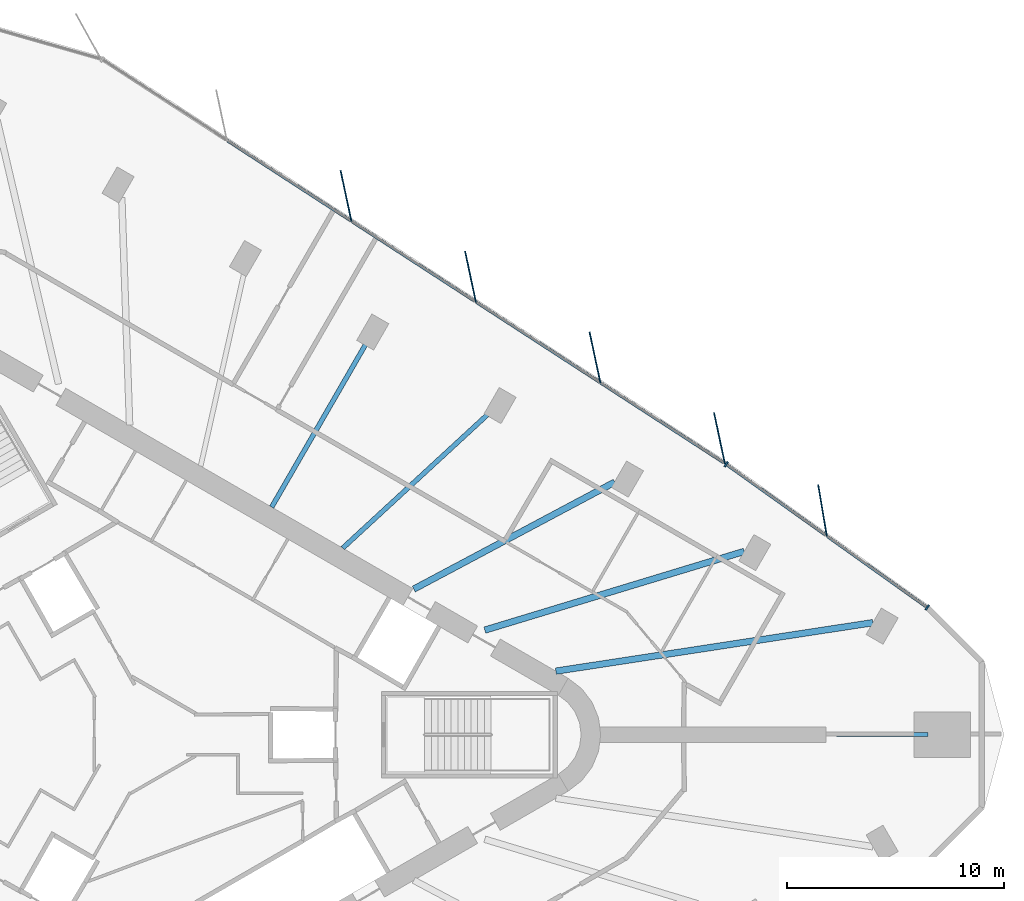
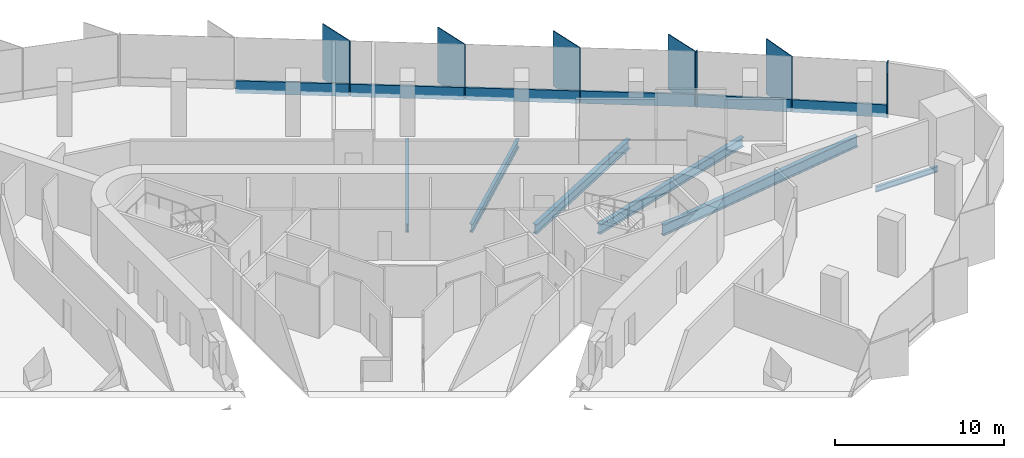
# One storey, part 5 of 14: 13 members, 6 beams, 2 elements without a shape of their own.
"""IFC4 building model written with IfcOpenShell, lengths in metres."""

from ifc_helpers import new_model, si_unit, direction, frame, origin, origin_2d, place, context, subcontext, project, spatial, rectangle, i_section, extrude, material, material_profile, profile_set, type_object, element, aggregate, save


model = new_model("IFC4")

# Units and contexts
model_context = context("Model", 3, precision=1e-05, world=origin(), true_north=direction((0.0, 1.0)))
body_context = subcontext(model_context, "Body", "Model", "MODEL_VIEW")
ifc_project = project(units=[si_unit("LENGTHUNIT", "METRE"), si_unit("AREAUNIT", "SQUARE_METRE"), si_unit("VOLUMEUNIT", "CUBIC_METRE"), si_unit("PLANEANGLEUNIT", "RADIAN"), si_unit("MASSUNIT", "GRAM", prefix="KILO")], contexts=[model_context])

# Site, building, storey
site_placement = place(None, origin())
site = spatial("IfcSite", under=ifc_project, at=site_placement, CompositionType="ELEMENT")
building_placement = place(site_placement, origin())
building = spatial("IfcBuilding", under=site, at=building_placement, Name="Tanit Gate Tower", CompositionType="ELEMENT")
storey_placement = place(building_placement, frame((0.0, 0.0, 253.199951171875)))
storey = spatial("IfcBuildingStorey", under=building, at=storey_placement, Name="L57", CompositionType="ELEMENT", Elevation=253.199951171875)

# Curtain wall, member
ifc_material_1 = material(Name="Aluminium bronze anodised and glass", Category="aluminium")
curtain_wall_type = type_object("IfcCurtainWallType", Name="Curtain wall typical mid", PredefinedType="NOTDEFINED", material=ifc_material_1)
curtain_wall_1_placement = place(storey_placement, origin())
curtain_wall_1 = element("IfcCurtainWall", 1, at=curtain_wall_1_placement, inside=storey, type_object=curtain_wall_type, Name="Curtain wall L57 NE1", PredefinedType="NOTDEFINED")
ifc_material_2 = material(Name="Aluminium bronze anodised", Category="aluminium")
ifc_material_profile_1 = material_profile(ifc_material_2, rectangle(XDim=2.39990234375, YDim=0.055908203125, at=origin_2d()), Name="56x2400 bronze fin mullion")
ifc_profile_set_1 = profile_set([ifc_material_profile_1], Name="Aluminium bronze anodised")
member_type_1 = type_object("IfcMemberType", Name="FIN MULLION 56x2400 bronze", PredefinedType="MULLION", material=ifc_profile_set_1)
member_1_placement = place(storey_placement, frame((31.41357421875, 10.318115234375, -0.300048828125), z_axis=(0.0, 0.0, 1.0), x_axis=(0.165705178355, -0.986175336269, 0.0)))
member_1 = element("IfcMember", 2, at=member_1_placement, type_object=member_type_1, Name="Fin mullion L57 NE1.2", PredefinedType="MULLION", context=body_context, shape_type="SweptSolid", body=[
    extrude(rectangle(XDim=2.39990234375, YDim=0.055908203125, at=origin_2d()), origin(), (0.0, 0.0, 1.0), 4.0),
])

# Curtain wall, members
curtain_wall_2_placement = place(storey_placement, origin())
curtain_wall_2 = element("IfcCurtainWall", 3, at=curtain_wall_2_placement, inside=storey, type_object=curtain_wall_type, Name="Curtain wall L57 NE2", PredefinedType="NOTDEFINED")
member_2_placement = place(storey_placement, frame((26.668701171875, 13.650390625, -0.300048828125), z_axis=(0.0, 0.0, 1.0), x_axis=(0.208373118697, -0.978049407445, 0.0)))
member_2 = element("IfcMember", 4, at=member_2_placement, type_object=member_type_1, Name="Fin mullion L57 NE2.1", PredefinedType="MULLION", context=body_context, shape_type="SweptSolid", body=[
    extrude(rectangle(XDim=2.39990234375, YDim=0.055908203125, at=origin_2d()), origin(), (0.0, 0.0, 1.0), 4.0),
])
member_3_placement = place(storey_placement, frame((20.936767578125, 17.368896484375, -0.300048828125), z_axis=(0.0, 0.0, 1.0), x_axis=(0.208373118697, -0.978049407445, 0.0)))
member_3 = element("IfcMember", 5, at=member_3_placement, type_object=member_type_1, Name="Fin mullion L57 NE2.2", PredefinedType="MULLION", context=body_context, shape_type="SweptSolid", body=[
    extrude(rectangle(XDim=2.39990234375, YDim=0.055908203125, at=origin_2d()), origin(), (0.0, 0.0, 1.0), 4.0),
])
member_4_placement = place(storey_placement, frame((15.204833984375, 21.08740234375, -0.300048828125), z_axis=(0.0, 0.0, 1.0), x_axis=(0.208373118697, -0.978049407445, 0.0)))
member_4 = element("IfcMember", 6, at=member_4_placement, type_object=member_type_1, Name="Fin mullion L57 NE2.3", PredefinedType="MULLION", context=body_context, shape_type="SweptSolid", body=[
    extrude(rectangle(XDim=2.39990234375, YDim=0.055908203125, at=origin_2d()), origin(), (0.0, 0.0, 1.0), 4.0),
])
member_5_placement = place(storey_placement, frame((9.47265625, 24.805908203125, -0.300048828125), z_axis=(0.0, 0.0, 1.0), x_axis=(0.208373118697, -0.978049407445, 0.0)))
member_5 = element("IfcMember", 7, at=member_5_placement, type_object=member_type_1, Name="Fin mullion L57 NE2.4", PredefinedType="MULLION", context=body_context, shape_type="SweptSolid", body=[
    extrude(rectangle(XDim=2.39990234375, YDim=0.055908203125, at=origin_2d()), origin(), (0.0, 0.0, 1.0), 4.0),
])

# Member
ifc_material_3 = material(Name="Aluminium bronze anodised", Category="aluminium")
ifc_material_profile_2 = material_profile(ifc_material_3, rectangle(XDim=0.260009765625, YDim=0.080078125, at=origin_2d()), Name="80x260 bronze mullion")
ifc_profile_set_2 = profile_set([ifc_material_profile_2], Name="Aluminium bronze anodised")
member_type_2 = type_object("IfcMemberType", Name="Mullion 80x260 typical mid", PredefinedType="MULLION", material=ifc_profile_set_2)
member_6_placement = place(storey_placement, frame((36.2373046875, 5.85888671875, -0.300048828125), z_axis=(0.0, 0.0, 1.0), x_axis=(-0.580160012422, -0.814502523008, 0.0)))
member_6 = element("IfcMember", 8, at=member_6_placement, type_object=member_type_2, Name="Mullion L57 NE1.1", PredefinedType="MULLION", context=body_context, shape_type="SweptSolid", body=[
    extrude(rectangle(XDim=0.260009765625, YDim=0.080078125, at=origin_2d()), origin(), (0.0, 0.0, 1.0), 4.0),
])

member_7_placement = place(storey_placement, frame((26.98046875, 12.452392578125, -0.300048828125), z_axis=(0.0, 0.0, 1.0), x_axis=(-0.580160012422, -0.814502523008, 0.0)))
member_7 = element("IfcMember", 9, at=member_7_placement, type_object=member_type_2, Name="Mullion L57 NE1.3", PredefinedType="MULLION", context=body_context, shape_type="SweptSolid", body=[
    extrude(rectangle(XDim=0.260009765625, YDim=0.080078125, at=origin_2d()), origin(), (0.0, 0.0, 1.0), 4.0),
])

# Beams
ifc_material_4 = material(Name="Steel S355", Category="steel")
ifc_material_profile_3 = material_profile(ifc_material_4, i_section(OverallWidth=0.300048828125, OverallDepth=0.68994140625, WebThickness=0.014404296875, FlangeThickness=0.027099609375, FilletRadius=0.027099609375, at=origin_2d()), Name="HEA 700")
ifc_profile_set_3 = profile_set([ifc_material_profile_3], Name="Steel S355")
beam_type_1 = type_object("IfcBeamType", Name="RADIAL GIRDER HEA 700 S355", PredefinedType="BEAM", material=ifc_profile_set_3)
beam_1_placement = place(storey_placement, frame((27.80810546875, 8.439208984375, -0.64501953125), z_axis=(-0.956906204487, -0.290397169089, 0.0), x_axis=(0.290397169089, -0.956906204487, 0.0)))
element("IfcBeam", 10, at=beam_1_placement, inside=storey, type_object=beam_type_1, Name="RADIAL GIRDER", PredefinedType="BEAM", context=body_context, shape_type="SweptSolid", body=[
    extrude(i_section(OverallWidth=0.300048828125, OverallDepth=0.68994140625, WebThickness=0.014404296875, FlangeThickness=0.027099609375, FilletRadius=0.027099609375, at=origin_2d()), origin(), (0.0, 0.0, 1.0), 12.481201171875),
])
beam_2_placement = place(storey_placement, frame((21.845947265625, 11.628173828125, -0.64501953125), z_axis=(-0.882742084466, -0.469857863947, 0.0), x_axis=(0.469857863947, -0.882742084466, 0.0)))
element("IfcBeam", 11, at=beam_2_placement, inside=storey, type_object=beam_type_1, Name="RADIAL GIRDER", PredefinedType="BEAM", context=body_context, shape_type="SweptSolid", body=[
    extrude(i_section(OverallWidth=0.300048828125, OverallDepth=0.68994140625, WebThickness=0.014404296875, FlangeThickness=0.027099609375, FilletRadius=0.027099609375, at=origin_2d()), origin(), (0.0, 0.0, 1.0), 10.4814453125),
])
ifc_material_5 = material(Name="Steel S355", Category="steel")
ifc_material_profile_4 = material_profile(ifc_material_5, i_section(OverallWidth=0.300048828125, OverallDepth=0.7900390625, WebThickness=0.014892578125, FlangeThickness=0.028076171875, FilletRadius=0.030029296875, at=origin_2d()), Name="HEA 800")
ifc_profile_set_4 = profile_set([ifc_material_profile_4], Name="Steel S355")
beam_type_2 = type_object("IfcBeamType", Name="RADIAL GIRDER HEA 800 S355", PredefinedType="BEAM", material=ifc_profile_set_4)
beam_3_placement = place(storey_placement, frame((33.732177734375, 5.157958984375, -0.695068359375), z_axis=(-0.988510058129, -0.151155102389, 0.0), x_axis=(0.151155102389, -0.988510058129, 0.0)))
element("IfcBeam", 12, at=beam_3_placement, inside=storey, type_object=beam_type_2, Name="RADIAL GIRDER", PredefinedType="BEAM", context=body_context, shape_type="SweptSolid", body=[
    extrude(i_section(OverallWidth=0.300048828125, OverallDepth=0.7900390625, WebThickness=0.014892578125, FlangeThickness=0.028076171875, FilletRadius=0.030029296875, at=origin_2d()), origin(), (0.0, 0.0, 1.0), 14.765869140625),
])
ifc_material_6 = material(Name="Steel S355", Category="steel")
ifc_material_profile_5 = material_profile(ifc_material_6, i_section(OverallWidth=0.179931640625, OverallDepth=0.39990234375, WebThickness=0.008544921875, FlangeThickness=0.013427734375, FilletRadius=0.02099609375, at=origin_2d()), Name="IPE 400")
ifc_profile_set_5 = profile_set([ifc_material_profile_5], Name="Steel S355")
beam_type_3 = type_object("IfcBeamType", Name="RADIAL GIRDER IPE 400 S355", PredefinedType="BEAM", material=ifc_profile_set_5)
beam_4_placement = place(storey_placement, frame((36.269775390625, 0.0, -0.5), z_axis=(-1.0, 0.0, 0.0), x_axis=(0.0, -1.0, 0.0)))
element("IfcBeam", 13, at=beam_4_placement, inside=storey, type_object=beam_type_3, Name="RADIAL GIRDER", PredefinedType="BEAM", context=body_context, shape_type="SweptSolid", body=[
    extrude(i_section(OverallWidth=0.179931640625, OverallDepth=0.39990234375, WebThickness=0.008544921875, FlangeThickness=0.013427734375, FilletRadius=0.02099609375, at=origin_2d()), origin(), (0.0, 0.0, 1.0), 4.219482421875),
])
ifc_material_7 = material(Name="Steel S355", Category="steel")
ifc_material_profile_6 = material_profile(ifc_material_7, i_section(OverallWidth=0.219970703125, OverallDepth=0.60009765625, WebThickness=0.011962890625, FlangeThickness=0.01904296875, FilletRadius=0.02392578125, at=origin_2d()), Name="IPE 600")
ifc_profile_set_6 = profile_set([ifc_material_profile_6], Name="Steel S355")
beam_type_4 = type_object("IfcBeamType", Name="RADIAL GIRDER IPE 600 S355", PredefinedType="BEAM", material=ifc_profile_set_6)
beam_5_placement = place(storey_placement, frame((16.17138671875, 14.904296875, -0.599853515625), z_axis=(-0.735338835574, -0.677699636193, 0.0), x_axis=(0.677699636193, -0.735338835574, 0.0)))
element("IfcBeam", 14, at=beam_5_placement, inside=storey, type_object=beam_type_4, Name="RADIAL GIRDER", PredefinedType="BEAM", context=body_context, shape_type="SweptSolid", body=[
    extrude(i_section(OverallWidth=0.219970703125, OverallDepth=0.60009765625, WebThickness=0.011962890625, FlangeThickness=0.01904296875, FilletRadius=0.02392578125, at=origin_2d()), origin(), (0.0, 0.0, 1.0), 9.314208984375),
])
beam_6_placement = place(storey_placement, frame((10.49658203125, 18.1806640625, -0.599853515625), z_axis=(-0.499998967409, -0.866025999951, 0.0), x_axis=(0.866025999951, -0.499998967409, 0.0)))
element("IfcBeam", 15, at=beam_6_placement, inside=storey, type_object=beam_type_4, Name="RADIAL GIRDER", PredefinedType="BEAM", context=body_context, shape_type="SweptSolid", body=[
    extrude(i_section(OverallWidth=0.219970703125, OverallDepth=0.60009765625, WebThickness=0.011962890625, FlangeThickness=0.01904296875, FilletRadius=0.02392578125, at=origin_2d()), origin(), (0.0, 0.0, 1.0), 8.89111328125),
])

# Member
ifc_material_8 = material(Name="Aluminium bronze anodised", Category="aluminium")
ifc_material_profile_7 = material_profile(ifc_material_8, rectangle(XDim=0.139892578125, YDim=0.89990234375, at=origin_2d()), Name="140x900 bronze transom")
ifc_profile_set_7 = profile_set([ifc_material_profile_7], Name="Aluminium bronze anodised")
member_type_3 = type_object("IfcMemberType", Name="Transom 140x900 typical mid", PredefinedType="USERDEFINED", material=ifc_profile_set_7)
member_8_placement = place(storey_placement, frame((36.204833984375, 5.882080078125, 0.150146484375), z_axis=(-0.814489482689, 0.580178319647, 0.0), x_axis=(-0.580178319647, -0.814489482689, 0.0)))
member_8 = element("IfcMember", 16, at=member_8_placement, type_object=member_type_3, Name="Transom L57 NE1.1", ObjectType="TRANSOM", PredefinedType="USERDEFINED", context=body_context, shape_type="SweptSolid", body=[
    extrude(rectangle(XDim=0.139892578125, YDim=0.89990234375, at=origin_2d()), origin(), (0.0, 0.0, 1.0), 5.6025390625),
])

member_9_placement = place(storey_placement, frame((31.576416015625, 9.178955078125, 0.150146484375), z_axis=(-0.814524741061, 0.580128818625, 0.0), x_axis=(-0.580128818625, -0.814524741061, 0.0)))
member_9 = element("IfcMember", 17, at=member_9_placement, type_object=member_type_3, Name="Transom L57 NE1.2", ObjectType="TRANSOM", PredefinedType="USERDEFINED", context=body_context, shape_type="SweptSolid", body=[
    extrude(rectangle(XDim=0.139892578125, YDim=0.89990234375, at=origin_2d()), origin(), (0.0, 0.0, 1.0), 5.6025390625),
])

aggregate(curtain_wall_1, [member_6, member_1, member_7, member_8, member_9])

member_10_placement = place(storey_placement, frame((26.880859375, 12.519287109375, 0.150146484375), z_axis=(-0.83893228777, 0.544235809679, 0.0), x_axis=(-0.544235809679, -0.83893228777, 0.0)))
member_10 = element("IfcMember", 18, at=member_10_placement, type_object=member_type_3, Name="Transom L57 NE2.1", ObjectType="TRANSOM", PredefinedType="USERDEFINED", context=body_context, shape_type="SweptSolid", body=[
    extrude(rectangle(XDim=0.139892578125, YDim=0.89990234375, at=origin_2d()), origin(), (0.0, 0.0, 1.0), 6.752685546875),
])

member_11_placement = place(storey_placement, frame((21.148681640625, 16.23779296875, 0.150146484375), z_axis=(-0.838921578545, 0.544252317452, 0.0), x_axis=(-0.544252317452, -0.838921578545, 0.0)))
member_11 = element("IfcMember", 19, at=member_11_placement, type_object=member_type_3, Name="Transom L57 NE2.2", ObjectType="TRANSOM", PredefinedType="USERDEFINED", context=body_context, shape_type="SweptSolid", body=[
    extrude(rectangle(XDim=0.139892578125, YDim=0.89990234375, at=origin_2d()), origin(), (0.0, 0.0, 1.0), 6.75244140625),
])

member_12_placement = place(storey_placement, frame((15.416748046875, 19.956298828125, 0.150146484375), z_axis=(-0.838921578545, 0.544252317452, 0.0), x_axis=(-0.544252317452, -0.838921578545, 0.0)))
member_12 = element("IfcMember", 20, at=member_12_placement, type_object=member_type_3, Name="Transom L57 NE2.3", ObjectType="TRANSOM", PredefinedType="USERDEFINED", context=body_context, shape_type="SweptSolid", body=[
    extrude(rectangle(XDim=0.139892578125, YDim=0.89990234375, at=origin_2d()), origin(), (0.0, 0.0, 1.0), 6.75244140625),
])

member_13_placement = place(storey_placement, frame((9.684814453125, 23.6748046875, 0.150146484375), z_axis=(-0.838921578545, 0.544252317452, 0.0), x_axis=(-0.544252317452, -0.838921578545, 0.0)))
member_13 = element("IfcMember", 21, at=member_13_placement, type_object=member_type_3, Name="Transom L57 NE2.4", ObjectType="TRANSOM", PredefinedType="USERDEFINED", context=body_context, shape_type="SweptSolid", body=[
    extrude(rectangle(XDim=0.139892578125, YDim=0.89990234375, at=origin_2d()), origin(), (0.0, 0.0, 1.0), 6.75244140625),
])

aggregate(curtain_wall_2, [member_2, member_3, member_4, member_5, member_10, member_11, member_12, member_13])

save(model, "model.ifc")
